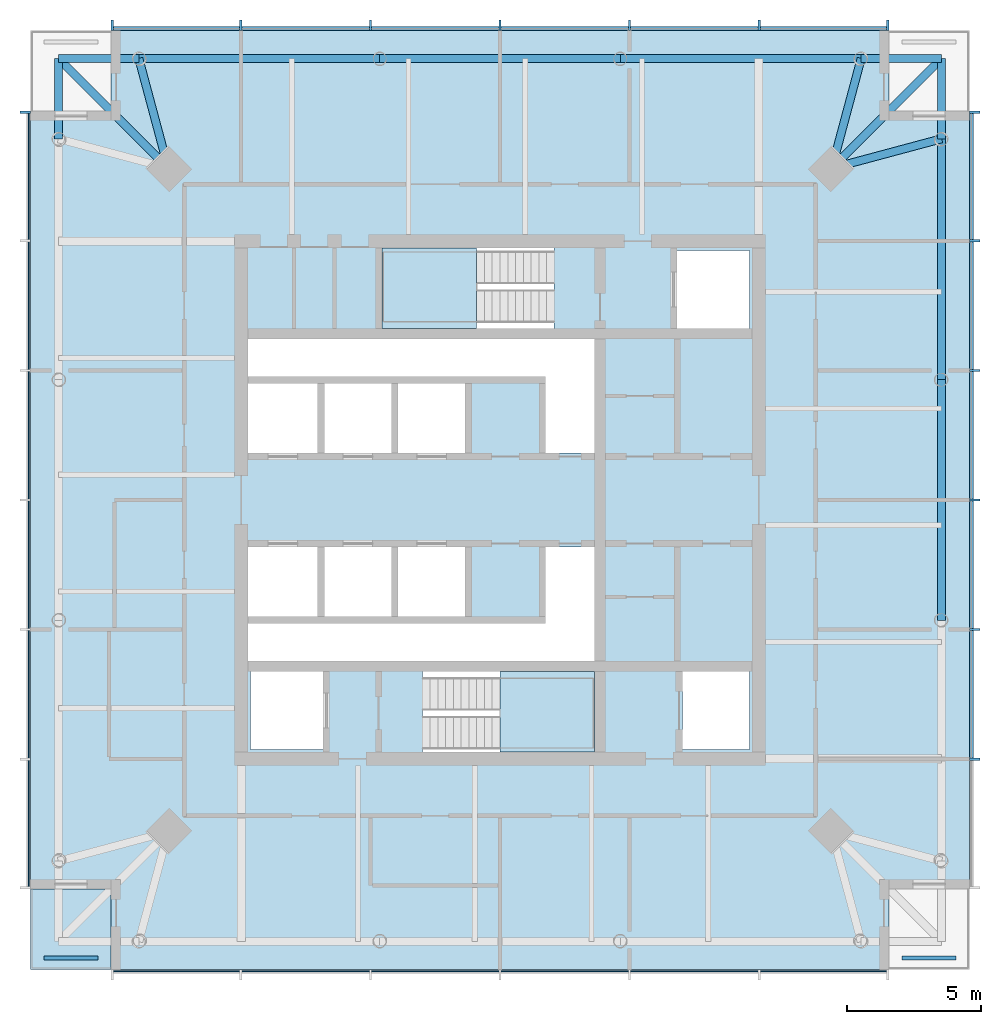
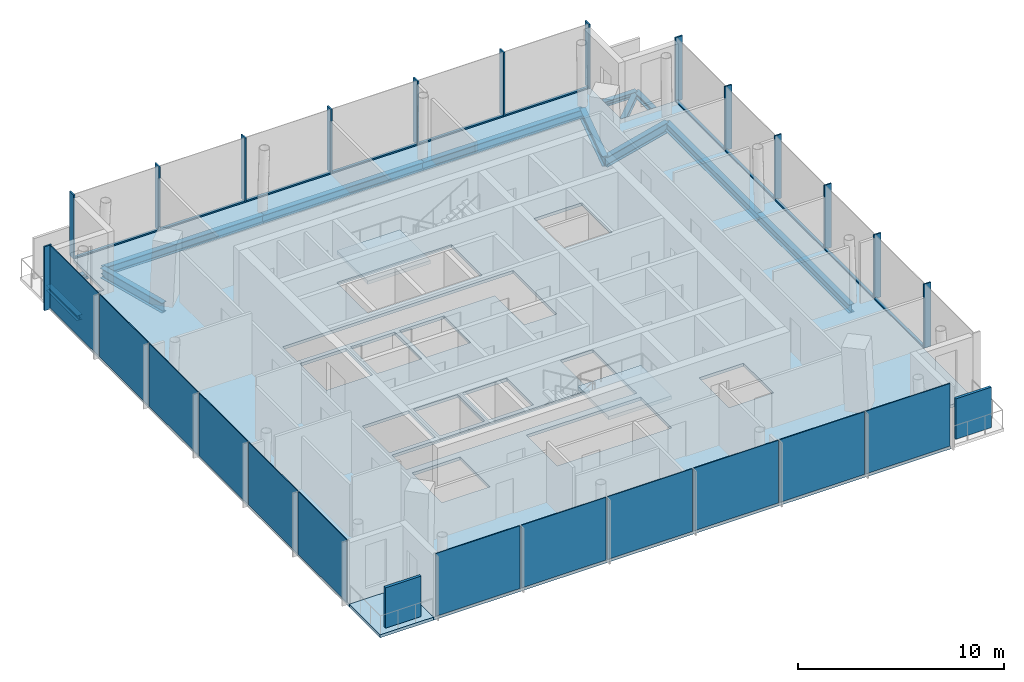
# One storey, part 2 of 7: 25 members, 14 beams, 14 plates, 4 slabs, 6 elements without a shape of their own.
"""IFC4 building model written with IfcOpenShell, lengths in metres."""

from ifc_helpers import new_model, si_unit, direction, frame, origin, origin_2d, place, context, subcontext, project, spatial, polyline, rectangle, i_section, outline, extrude, material, layer, layer_set, material_profile, profile_set, type_object, element, aggregate, save


model = new_model("IFC4")

# Units and contexts
model_context = context("Model", 3, precision=1e-05, world=origin(), true_north=direction((0.0, 1.0)))
body_context = subcontext(model_context, "Body", "Model", "MODEL_VIEW")
ifc_project = project(units=[si_unit("LENGTHUNIT", "METRE"), si_unit("AREAUNIT", "SQUARE_METRE"), si_unit("VOLUMEUNIT", "CUBIC_METRE"), si_unit("PLANEANGLEUNIT", "RADIAN"), si_unit("MASSUNIT", "GRAM", prefix="KILO")], contexts=[model_context])

# Site, building, storey
site_placement = place(None, origin())
site = spatial("IfcSite", under=ifc_project, at=site_placement, CompositionType="ELEMENT")
building_placement = place(site_placement, origin())
building = spatial("IfcBuilding", under=site, at=building_placement, Name="Ostroluk Exchange", CompositionType="ELEMENT")
storey_placement = place(building_placement, frame((0.0, 0.0, 256.60009765625)))
storey = spatial("IfcBuildingStorey", under=building, at=storey_placement, Name="L66", CompositionType="ELEMENT", Elevation=256.60009765625)

# Beams
ifc_material_1 = material(Name="Steel S355", Category="steel")
ifc_material_profile_1 = material_profile(ifc_material_1, i_section(OverallWidth=0.300048828125, OverallDepth=0.300048828125, WebThickness=0.010986328125, FlangeThickness=0.01904296875, FilletRadius=0.027099609375, at=origin_2d()), Name="HEB 300")
ifc_profile_set_1 = profile_set([ifc_material_profile_1], Name="Steel S355")
beam_type_1 = type_object("IfcBeamType", Name="Balcony beam HEB 300", PredefinedType="BEAM", material=ifc_profile_set_1)
for number, where, z_axis, x_axis, name in (
    (1, (61.471435546875, 59.471435546875, -0.330078125), (0.0, 1.0, 0.0), (-1.0, 0.0, 0.0), "T1 east balcony beam a"),
    (2, (58.471435546875, 62.471435546875, -0.330078125), (1.0, 0.0, 0.0), (0.0, 1.0, 0.0), "T1 east balcony beam b"),
):
    element("IfcBeam", number, at=place(storey_placement, frame(where, z_axis=z_axis, x_axis=x_axis)), inside=storey, type_object=beam_type_1, Name=name, PredefinedType="BEAM", context=body_context, shape_type="SweptSolid", body=[
        extrude(i_section(OverallWidth=0.300048828125, OverallDepth=0.300048828125, WebThickness=0.010986328125, FlangeThickness=0.01904296875, FilletRadius=0.027099609375, at=origin_2d()), origin(), (0.0, 0.0, 1.0), 3.0),
    ])
beam_1_placement = place(storey_placement, frame((57.371337890625, 58.371337890625, -0.330078125), z_axis=(0.707106781187, 0.707106781187, 0.0), x_axis=(-0.707106781187, 0.707106781187, 0.0)))
element("IfcBeam", 3, at=beam_1_placement, inside=storey, type_object=beam_type_1, Name="T1 east balcony beam c", PredefinedType="BEAM", context=body_context, shape_type="SweptSolid", body=[
    extrude(i_section(OverallWidth=0.300048828125, OverallDepth=0.300048828125, WebThickness=0.010986328125, FlangeThickness=0.01904296875, FilletRadius=0.027099609375, at=origin_2d()), origin(), (0.0, 0.0, 1.0), 5.79833984375),
])
for number, where, z_axis, x_axis, name in (
    (4, (31.528564453125, 62.471435546875, -0.330078125), (-1.0, 0.0, 0.0), (0.0, -1.0, 0.0), "T1 north balcony beam a"),
    (5, (28.528564453125, 59.471435546875, -0.330078125), (0.0, 1.0, 0.0), (-1.0, 0.0, 0.0), "T1 north balcony beam b"),
):
    element("IfcBeam", number, at=place(storey_placement, frame(where, z_axis=z_axis, x_axis=x_axis)), inside=storey, type_object=beam_type_1, Name=name, PredefinedType="BEAM", context=body_context, shape_type="SweptSolid", body=[
        extrude(i_section(OverallWidth=0.300048828125, OverallDepth=0.300048828125, WebThickness=0.010986328125, FlangeThickness=0.01904296875, FilletRadius=0.027099609375, at=origin_2d()), origin(), (0.0, 0.0, 1.0), 3.0),
    ])
beam_2_placement = place(storey_placement, frame((32.628662109375, 58.371337890625, -0.330078125), z_axis=(-0.707106781187, 0.707106781187, 0.0), x_axis=(-0.707106781187, -0.707106781187, 0.0)))
element("IfcBeam", 6, at=beam_2_placement, inside=storey, type_object=beam_type_1, Name="T1 north balcony beam c", PredefinedType="BEAM", context=body_context, shape_type="SweptSolid", body=[
    extrude(i_section(OverallWidth=0.300048828125, OverallDepth=0.300048828125, WebThickness=0.010986328125, FlangeThickness=0.01904296875, FilletRadius=0.027099609375, at=origin_2d()), origin(), (0.0, 0.0, 1.0), 5.79833984375),
])
ifc_material_2 = material(Name="Steel S355", Category="steel")
ifc_material_profile_2 = material_profile(ifc_material_2, i_section(OverallWidth=0.300048828125, OverallDepth=0.60009765625, WebThickness=0.015380859375, FlangeThickness=0.030029296875, FilletRadius=0.027099609375, at=origin_2d()), Name="HEB 600")
ifc_profile_set_2 = profile_set([ifc_material_profile_2], Name="Steel S355")
beam_type_2 = type_object("IfcBeamType", Name="Corner edge beam HEB 600", PredefinedType="SPANDREL", material=ifc_profile_set_2)
for number, where, z_axis, x_axis, name in (
    (7, (57.371337890625, 58.371337890625, -0.47998046875), (0.965838624319, 0.259144268261, 0.0), (-0.259144268261, 0.965838624319, 0.0), "T1 east corner edge beam a"),
    (8, (57.371337890625, 58.371337890625, -0.47998046875), (0.259144268261, 0.965838624319, 0.0), (-0.965838624319, 0.259144268261, 0.0), "T1 east corner edge beam b"),
    (9, (32.628662109375, 58.371337890625, -0.47998046875), (-0.259144268261, 0.965838624319, 0.0), (-0.965838624319, -0.259144268261, 0.0), "T1 north corner edge beam a"),
):
    element("IfcBeam", number, at=place(storey_placement, frame(where, z_axis=z_axis, x_axis=x_axis)), inside=storey, type_object=beam_type_2, Name=name, PredefinedType="SPANDREL", context=body_context, shape_type="SweptSolid", body=[
        extrude(i_section(OverallWidth=0.300048828125, OverallDepth=0.60009765625, WebThickness=0.015380859375, FlangeThickness=0.030029296875, FilletRadius=0.027099609375, at=origin_2d()), origin(), (0.0, 0.0, 1.0), 4.2451171875),
    ])
ifc_material_3 = material(Name="Steel S355", Category="steel")
ifc_material_profile_3 = material_profile(ifc_material_3, i_section(OverallWidth=0.300048828125, OverallDepth=0.5, WebThickness=0.014404296875, FlangeThickness=0.028076171875, FilletRadius=0.027099609375, at=origin_2d()), Name="HEB 500")
ifc_profile_set_3 = profile_set([ifc_material_profile_3], Name="Steel S355")
beam_type_3 = type_object("IfcBeamType", Name="Moment-connected edge beam HEB 500", PredefinedType="SPANDREL", material=ifc_profile_set_3)
for number, where, z_axis, x_axis, name in (
    (10, (61.471435546875, 41.509521484375, -0.43017578125), (0.0, 1.0, 0.0), (-1.0, 0.0, 0.0), "T1 east edge beam 2"),
    (11, (61.471435546875, 50.490478515625, -0.43017578125), (0.0, 1.0, 0.0), (-1.0, 0.0, 0.0), "T1 east edge beam 3"),
    (12, (58.471435546875, 62.471435546875, -0.43017578125), (-1.0, 0.0, 0.0), (0.0, -1.0, 0.0), "T1 north edge beam 1"),
    (13, (49.490478515625, 62.471435546875, -0.43017578125), (-1.0, 0.0, 0.0), (0.0, -1.0, 0.0), "T1 north edge beam 2"),
    (14, (40.509521484375, 62.471435546875, -0.43017578125), (-1.0, 0.0, 0.0), (0.0, -1.0, 0.0), "T1 north edge beam 3"),
):
    element("IfcBeam", number, at=place(storey_placement, frame(where, z_axis=z_axis, x_axis=x_axis)), inside=storey, type_object=beam_type_3, Name=name, PredefinedType="SPANDREL", context=body_context, shape_type="SweptSolid", body=[
        extrude(i_section(OverallWidth=0.300048828125, OverallDepth=0.5, WebThickness=0.014404296875, FlangeThickness=0.028076171875, FilletRadius=0.027099609375, at=origin_2d()), origin(), (0.0, 0.0, 1.0), 8.98095703125),
    ])

# Curtain wall, members
ifc_material_4 = material(Name="Laminated clear glass", Category="glass")
curtain_wall_type = type_object("IfcCurtainWallType", Name="Office tower facade", PredefinedType="USERDEFINED", material=ifc_material_4)
curtain_wall_1_placement = place(storey_placement, origin())
curtain_wall_1 = element("IfcCurtainWall", 15, at=curtain_wall_1_placement, inside=storey, type_object=curtain_wall_type, Name="Office tower east facade L66", ObjectType="UNITISED CURTAIN WALL", PredefinedType="USERDEFINED")
ifc_material_5 = material(Name="Aluminium mullion", Category="aluminium")
ifc_material_profile_4 = material_profile(ifc_material_5, rectangle(XDim=0.14990234375, YDim=0.080078125, at=origin_2d()), Name="Sill transom 80 x 150")
ifc_profile_set_4 = profile_set([ifc_material_profile_4], Name="Aluminium mullion")
member_type_1 = type_object("IfcMemberType", Name="Sill transom 80 x 150", PredefinedType="USERDEFINED", material=ifc_profile_set_4)
member_1_placement = place(storey_placement, frame((62.574951171875, 36.373291015625, 0.039794921875), z_axis=(0.0, 1.0, 0.0), x_axis=(-1.0, 0.0, 0.0)))
member_1 = element("IfcMember", 16, at=member_1_placement, type_object=member_type_1, Name="CW-O1 transom 2.1", ObjectType="TRANSOM", PredefinedType="USERDEFINED", context=body_context, shape_type="SweptSolid", body=[
    extrude(rectangle(XDim=0.14990234375, YDim=0.080078125, at=origin_2d()), origin(), (0.0, 0.0, 1.0), 4.75341796875),
])
member_2_placement = place(storey_placement, frame((62.574951171875, 41.206787109375, 0.039794921875), z_axis=(0.0, 1.0, 0.0), x_axis=(-1.0, 0.0, 0.0)))
member_2 = element("IfcMember", 17, at=member_2_placement, type_object=member_type_1, Name="CW-O1 transom 3.1", ObjectType="TRANSOM", PredefinedType="USERDEFINED", context=body_context, shape_type="SweptSolid", body=[
    extrude(rectangle(XDim=0.14990234375, YDim=0.080078125, at=origin_2d()), origin(), (0.0, 0.0, 1.0), 4.753173828125),
])
member_3_placement = place(storey_placement, frame((62.574951171875, 46.0400390625, 0.039794921875), z_axis=(0.0, 1.0, 0.0), x_axis=(-1.0, 0.0, 0.0)))
member_3 = element("IfcMember", 18, at=member_3_placement, type_object=member_type_1, Name="CW-O1 transom 4.1", ObjectType="TRANSOM", PredefinedType="USERDEFINED", context=body_context, shape_type="SweptSolid", body=[
    extrude(rectangle(XDim=0.14990234375, YDim=0.080078125, at=origin_2d()), origin(), (0.0, 0.0, 1.0), 4.753173828125),
])
member_4_placement = place(storey_placement, frame((62.574951171875, 50.873291015625, 0.039794921875), z_axis=(0.0, 1.0, 0.0), x_axis=(-1.0, 0.0, 0.0)))
member_4 = element("IfcMember", 19, at=member_4_placement, type_object=member_type_1, Name="CW-O1 transom 5.1", ObjectType="TRANSOM", PredefinedType="USERDEFINED", context=body_context, shape_type="SweptSolid", body=[
    extrude(rectangle(XDim=0.14990234375, YDim=0.080078125, at=origin_2d()), origin(), (0.0, 0.0, 1.0), 4.75341796875),
])
member_5_placement = place(storey_placement, frame((62.574951171875, 55.706787109375, 0.039794921875), z_axis=(0.0, 1.0, 0.0), x_axis=(-1.0, 0.0, 0.0)))
member_5 = element("IfcMember", 20, at=member_5_placement, type_object=member_type_1, Name="CW-O1 transom 6.1", ObjectType="TRANSOM", PredefinedType="USERDEFINED", context=body_context, shape_type="SweptSolid", body=[
    extrude(rectangle(XDim=0.14990234375, YDim=0.080078125, at=origin_2d()), origin(), (0.0, 0.0, 1.0), 4.713134765625),
])

curtain_wall_2_placement = place(storey_placement, origin())
curtain_wall_2 = element("IfcCurtainWall", 21, at=curtain_wall_2_placement, inside=storey, type_object=curtain_wall_type, Name="Office tower north facade L66", ObjectType="UNITISED CURTAIN WALL", PredefinedType="USERDEFINED")
member_6_placement = place(storey_placement, frame((59.419921875, 63.574951171875, 0.039794921875), z_axis=(-1.0, 0.0, 0.0), x_axis=(0.0, -1.0, 0.0)))
member_6 = element("IfcMember", 22, at=member_6_placement, type_object=member_type_1, Name="CW-O1 transom 1.1", ObjectType="TRANSOM", PredefinedType="USERDEFINED", context=body_context, shape_type="SweptSolid", body=[
    extrude(rectangle(XDim=0.14990234375, YDim=0.080078125, at=origin_2d()), origin(), (0.0, 0.0, 1.0), 4.713134765625),
])
member_7_placement = place(storey_placement, frame((54.626708984375, 63.574951171875, 0.039794921875), z_axis=(-1.0, 0.0, 0.0), x_axis=(0.0, -1.0, 0.0)))
member_7 = element("IfcMember", 23, at=member_7_placement, type_object=member_type_1, Name="CW-O1 transom 2.1", ObjectType="TRANSOM", PredefinedType="USERDEFINED", context=body_context, shape_type="SweptSolid", body=[
    extrude(rectangle(XDim=0.14990234375, YDim=0.080078125, at=origin_2d()), origin(), (0.0, 0.0, 1.0), 4.75341796875),
])
member_8_placement = place(storey_placement, frame((49.793212890625, 63.574951171875, 0.039794921875), z_axis=(-1.0, 0.0, 0.0), x_axis=(0.0, -1.0, 0.0)))
member_8 = element("IfcMember", 24, at=member_8_placement, type_object=member_type_1, Name="CW-O1 transom 3.1", ObjectType="TRANSOM", PredefinedType="USERDEFINED", context=body_context, shape_type="SweptSolid", body=[
    extrude(rectangle(XDim=0.14990234375, YDim=0.080078125, at=origin_2d()), origin(), (0.0, 0.0, 1.0), 4.753173828125),
])
member_9_placement = place(storey_placement, frame((44.9599609375, 63.574951171875, 0.039794921875), z_axis=(-1.0, 0.0, 0.0), x_axis=(0.0, -1.0, 0.0)))
member_9 = element("IfcMember", 25, at=member_9_placement, type_object=member_type_1, Name="CW-O1 transom 4.1", ObjectType="TRANSOM", PredefinedType="USERDEFINED", context=body_context, shape_type="SweptSolid", body=[
    extrude(rectangle(XDim=0.14990234375, YDim=0.080078125, at=origin_2d()), origin(), (0.0, 0.0, 1.0), 4.753173828125),
])
member_10_placement = place(storey_placement, frame((40.126708984375, 63.574951171875, 0.039794921875), z_axis=(-1.0, 0.0, 0.0), x_axis=(0.0, -1.0, 0.0)))
member_10 = element("IfcMember", 26, at=member_10_placement, type_object=member_type_1, Name="CW-O1 transom 5.1", ObjectType="TRANSOM", PredefinedType="USERDEFINED", context=body_context, shape_type="SweptSolid", body=[
    extrude(rectangle(XDim=0.14990234375, YDim=0.080078125, at=origin_2d()), origin(), (0.0, 0.0, 1.0), 4.75341796875),
])
member_11_placement = place(storey_placement, frame((35.293212890625, 63.574951171875, 0.039794921875), z_axis=(-1.0, 0.0, 0.0), x_axis=(0.0, -1.0, 0.0)))
member_11 = element("IfcMember", 27, at=member_11_placement, type_object=member_type_1, Name="CW-O1 transom 6.1", ObjectType="TRANSOM", PredefinedType="USERDEFINED", context=body_context, shape_type="SweptSolid", body=[
    extrude(rectangle(XDim=0.14990234375, YDim=0.080078125, at=origin_2d()), origin(), (0.0, 0.0, 1.0), 4.713134765625),
])

# Member
ifc_material_6 = material(Name="Aluminium mullion with limestone facing", Category="masonry")
ifc_material_profile_5 = material_profile(ifc_material_6, rectangle(XDim=0.39990234375, YDim=0.080078125, at=origin_2d()), Name="Tracery mullion 80 x 400")
ifc_profile_set_5 = profile_set([ifc_material_profile_5], Name="Aluminium mullion with limestone facing")
member_type_2 = type_object("IfcMemberType", Name="Tracery mullion 80 x 400", PredefinedType="MULLION", material=ifc_profile_set_5)
member_12_placement = place(storey_placement, frame((62.699951171875, 36.333251953125, 0.0), z_axis=(0.0, 0.0, 1.0), x_axis=(-1.0, 0.0, 0.0)))
member_12 = element("IfcMember", 28, at=member_12_placement, type_object=member_type_2, Name="CW-O1 mullion 2", PredefinedType="MULLION", context=body_context, shape_type="SweptSolid", body=[
    extrude(rectangle(XDim=0.39990234375, YDim=0.080078125, at=origin_2d()), origin(), (0.0, 0.0, 1.0), 3.7998046875),
])

member_13_placement = place(storey_placement, frame((62.699951171875, 41.166748046875, 0.0), z_axis=(0.0, 0.0, 1.0), x_axis=(-1.0, 0.0, 0.0)))
member_13 = element("IfcMember", 29, at=member_13_placement, type_object=member_type_2, Name="CW-O1 mullion 3", PredefinedType="MULLION", context=body_context, shape_type="SweptSolid", body=[
    extrude(rectangle(XDim=0.39990234375, YDim=0.080078125, at=origin_2d()), origin(), (0.0, 0.0, 1.0), 3.7998046875),
])

member_14_placement = place(storey_placement, frame((62.699951171875, 46.0, 0.0), z_axis=(0.0, 0.0, 1.0), x_axis=(-1.0, 0.0, 0.0)))
member_14 = element("IfcMember", 30, at=member_14_placement, type_object=member_type_2, Name="CW-O1 mullion 4", PredefinedType="MULLION", context=body_context, shape_type="SweptSolid", body=[
    extrude(rectangle(XDim=0.39990234375, YDim=0.080078125, at=origin_2d()), origin(), (0.0, 0.0, 1.0), 3.7998046875),
])

member_15_placement = place(storey_placement, frame((62.699951171875, 50.833251953125, 0.0), z_axis=(0.0, 0.0, 1.0), x_axis=(-1.0, 0.0, 0.0)))
member_15 = element("IfcMember", 31, at=member_15_placement, type_object=member_type_2, Name="CW-O1 mullion 5", PredefinedType="MULLION", context=body_context, shape_type="SweptSolid", body=[
    extrude(rectangle(XDim=0.39990234375, YDim=0.080078125, at=origin_2d()), origin(), (0.0, 0.0, 1.0), 3.7998046875),
])

member_16_placement = place(storey_placement, frame((62.699951171875, 55.666748046875, 0.0), z_axis=(0.0, 0.0, 1.0), x_axis=(-1.0, 0.0, 0.0)))
member_16 = element("IfcMember", 32, at=member_16_placement, type_object=member_type_2, Name="CW-O1 mullion 6", PredefinedType="MULLION", context=body_context, shape_type="SweptSolid", body=[
    extrude(rectangle(XDim=0.39990234375, YDim=0.080078125, at=origin_2d()), origin(), (0.0, 0.0, 1.0), 3.7998046875),
])

member_17_placement = place(storey_placement, frame((62.699951171875, 60.4599609375, 0.0), z_axis=(0.0, 0.0, 1.0), x_axis=(-1.0, 0.0, 0.0)))
member_17 = element("IfcMember", 33, at=member_17_placement, type_object=member_type_2, Name="CW-O1 mullion 7", PredefinedType="MULLION", context=body_context, shape_type="SweptSolid", body=[
    extrude(rectangle(XDim=0.39990234375, YDim=0.080078125, at=origin_2d()), origin(), (0.0, 0.0, 1.0), 3.7998046875),
])

aggregate(curtain_wall_1, [member_12, member_13, member_14, member_15, member_16, member_17, member_1, member_2, member_3, member_4, member_5])

member_18_placement = place(storey_placement, frame((59.4599609375, 63.699951171875, 0.0), z_axis=(0.0, 0.0, 1.0), x_axis=(0.0, -1.0, 0.0)))
member_18 = element("IfcMember", 34, at=member_18_placement, type_object=member_type_2, Name="CW-O1 mullion 1", PredefinedType="MULLION", context=body_context, shape_type="SweptSolid", body=[
    extrude(rectangle(XDim=0.39990234375, YDim=0.080078125, at=origin_2d()), origin(), (0.0, 0.0, 1.0), 3.7998046875),
])

member_19_placement = place(storey_placement, frame((54.666748046875, 63.699951171875, 0.0), z_axis=(0.0, 0.0, 1.0), x_axis=(0.0, -1.0, 0.0)))
member_19 = element("IfcMember", 35, at=member_19_placement, type_object=member_type_2, Name="CW-O1 mullion 2", PredefinedType="MULLION", context=body_context, shape_type="SweptSolid", body=[
    extrude(rectangle(XDim=0.39990234375, YDim=0.080078125, at=origin_2d()), origin(), (0.0, 0.0, 1.0), 3.7998046875),
])

member_20_placement = place(storey_placement, frame((49.833251953125, 63.699951171875, 0.0), z_axis=(0.0, 0.0, 1.0), x_axis=(0.0, -1.0, 0.0)))
member_20 = element("IfcMember", 36, at=member_20_placement, type_object=member_type_2, Name="CW-O1 mullion 3", PredefinedType="MULLION", context=body_context, shape_type="SweptSolid", body=[
    extrude(rectangle(XDim=0.39990234375, YDim=0.080078125, at=origin_2d()), origin(), (0.0, 0.0, 1.0), 3.7998046875),
])

member_21_placement = place(storey_placement, frame((45.0, 63.699951171875, 0.0), z_axis=(0.0, 0.0, 1.0), x_axis=(0.0, -1.0, 0.0)))
member_21 = element("IfcMember", 37, at=member_21_placement, type_object=member_type_2, Name="CW-O1 mullion 4", PredefinedType="MULLION", context=body_context, shape_type="SweptSolid", body=[
    extrude(rectangle(XDim=0.39990234375, YDim=0.080078125, at=origin_2d()), origin(), (0.0, 0.0, 1.0), 3.7998046875),
])

member_22_placement = place(storey_placement, frame((40.166748046875, 63.699951171875, 0.0), z_axis=(0.0, 0.0, 1.0), x_axis=(0.0, -1.0, 0.0)))
member_22 = element("IfcMember", 38, at=member_22_placement, type_object=member_type_2, Name="CW-O1 mullion 5", PredefinedType="MULLION", context=body_context, shape_type="SweptSolid", body=[
    extrude(rectangle(XDim=0.39990234375, YDim=0.080078125, at=origin_2d()), origin(), (0.0, 0.0, 1.0), 3.7998046875),
])

member_23_placement = place(storey_placement, frame((35.333251953125, 63.699951171875, 0.0), z_axis=(0.0, 0.0, 1.0), x_axis=(0.0, -1.0, 0.0)))
member_23 = element("IfcMember", 39, at=member_23_placement, type_object=member_type_2, Name="CW-O1 mullion 6", PredefinedType="MULLION", context=body_context, shape_type="SweptSolid", body=[
    extrude(rectangle(XDim=0.39990234375, YDim=0.080078125, at=origin_2d()), origin(), (0.0, 0.0, 1.0), 3.7998046875),
])

member_24_placement = place(storey_placement, frame((30.5400390625, 63.699951171875, 0.0), z_axis=(0.0, 0.0, 1.0), x_axis=(0.0, -1.0, 0.0)))
member_24 = element("IfcMember", 40, at=member_24_placement, type_object=member_type_2, Name="CW-O1 mullion 7", PredefinedType="MULLION", context=body_context, shape_type="SweptSolid", body=[
    extrude(rectangle(XDim=0.39990234375, YDim=0.080078125, at=origin_2d()), origin(), (0.0, 0.0, 1.0), 3.7998046875),
])

aggregate(curtain_wall_2, [member_18, member_19, member_20, member_21, member_22, member_23, member_24, member_6, member_7, member_8, member_9, member_10, member_11])

# Curtain wall, member
curtain_wall_3_placement = place(storey_placement, origin())
curtain_wall_3 = element("IfcCurtainWall", 41, at=curtain_wall_3_placement, inside=storey, type_object=curtain_wall_type, Name="Office tower west facade L66", ObjectType="UNITISED CURTAIN WALL", PredefinedType="USERDEFINED")
member_25_placement = place(storey_placement, frame((27.300048828125, 60.4599609375, 0.0), z_axis=(0.0, 0.0, 1.0), x_axis=(1.0, 0.0, 0.0)))
member_25 = element("IfcMember", 42, at=member_25_placement, type_object=member_type_2, Name="CW-O1 mullion 1", PredefinedType="MULLION", context=body_context, shape_type="SweptSolid", body=[
    extrude(rectangle(XDim=0.39990234375, YDim=0.080078125, at=origin_2d()), origin(), (0.0, 0.0, 1.0), 3.7998046875),
])

# Slab
ifc_material_7 = material(Name="Concrete C35/45", Category="concrete")
ifc_layer_1 = layer(ifc_material_7, 0.179931640625)
ifc_layer_set_1 = layer_set([ifc_layer_1], Name="Balcony slab 180")
slab_type_1 = type_object("IfcSlabType", Name="Balcony slab 180", PredefinedType="USERDEFINED", material=ifc_layer_set_1)
slab_1_placement = place(storey_placement, frame((0.0, 0.0, -0.18017578125)))
element("IfcSlab", 43, at=slab_1_placement, inside=storey, type_object=slab_type_1, Name="Office tower SW corner balcony L66", ObjectType="BALCONY", PredefinedType="USERDEFINED", context=body_context, shape_type="SweptSolid", body=[
    extrude(outline(polyline([(27.5, 28.5), (30.5, 28.5), (30.5, 31.5), (27.5, 31.5), (27.5, 28.5)])), origin(), (0.0, 0.0, 1.0), 0.18017578125),
])

# Plates
ifc_material_8 = material(Name="Steel S355 trellis with planting", Category="steel")
ifc_layer_2 = layer(ifc_material_8, 0.14990234375)
ifc_layer_set_2 = layer_set([ifc_layer_2], Name="Planted screen 150")
plate_type_1 = type_object("IfcPlateType", Name="Planted screen 150", PredefinedType="USERDEFINED", material=ifc_layer_set_2)
for number, where, z_axis, x_axis, name in (
    (44, (61.0, 28.925048828125, 0.0), (0.0, 0.0, 1.0), (1.0, 0.0, 0.0), "Office tower SE planted screen L66"),
    (45, (29.0, 28.925048828125, 0.0), (0.0, 0.0, 1.0), (1.0, 0.0, 0.0), "Office tower SW planted screen L66"),
):
    element("IfcPlate", number, at=place(storey_placement, frame(where, z_axis=z_axis, x_axis=x_axis)), inside=storey, type_object=plate_type_1, Name=name, ObjectType="PLANTED SCREEN", PredefinedType="USERDEFINED", context=body_context, shape_type="SweptSolid", body=[
        extrude(rectangle(XDim=2.0, YDim=0.14990234375, at=origin_2d()), origin(), (0.0, 0.0, 1.0), 2.39990234375),
    ])

# Stair, slab
ifc_material_9 = material(Name="Concrete C30/37", Category="concrete")
stair_type = type_object("IfcStairType", Name="Exit stair half turn 3800", PredefinedType="HALF_TURN_STAIR", material=ifc_material_9)
stair_1_placement = place(storey_placement, origin())
stair_1 = element("IfcStair", 46, at=stair_1_placement, inside=storey, type_object=stair_type, Name="Stair T1-S1 L66", PredefinedType="HALF_TURN_STAIR")
ifc_material_10 = material(Name="Concrete C30/37", Category="concrete")
ifc_layer_3 = layer(ifc_material_10, 0.199951171875)
ifc_layer_set_3 = layer_set([ifc_layer_3], Name="Stair landing 200")
slab_type_2 = type_object("IfcSlabType", Name="Stair landing 200", PredefinedType="LANDING", material=ifc_layer_set_3)
slab_2_placement = place(storey_placement, frame((0.0, 0.0, 1.699951171875)))
slab_2 = element("IfcSlab", 47, at=slab_2_placement, type_object=slab_type_2, Name="T1-S1 landing 1", PredefinedType="LANDING", context=body_context, shape_type="SweptSolid", body=[
    extrude(outline(polyline([(45.0, 36.60009765625), (45.0, 39.60009765625), (48.530029296875, 39.60009765625), (48.530029296875, 36.60009765625), (45.0, 36.60009765625)])), origin(), (0.0, 0.0, 1.0), 0.199951171875),
])
aggregate(stair_1, [slab_2])

stair_2_placement = place(storey_placement, origin())
stair_2 = element("IfcStair", 48, at=stair_2_placement, inside=storey, type_object=stair_type, Name="Stair T1-S2 L66", PredefinedType="HALF_TURN_STAIR")
slab_3_placement = place(storey_placement, frame((0.0, 0.0, 1.699951171875)))
slab_3 = element("IfcSlab", 49, at=slab_3_placement, type_object=slab_type_2, Name="T1-S2 landing 1", PredefinedType="LANDING", context=body_context, shape_type="SweptSolid", body=[
    extrude(outline(polyline([(44.1298828125, 52.39990234375), (44.1298828125, 55.39990234375), (40.60009765625, 55.39990234375), (40.60009765625, 52.39990234375), (44.1298828125, 52.39990234375)])), origin(), (0.0, 0.0, 1.0), 0.199951171875),
])
aggregate(stair_2, [slab_3])

# Slab
ifc_material_11 = material(Name="Concrete C35/45", Category="concrete")
ifc_layer_4 = layer(ifc_material_11, 0.179931640625)
ifc_layer_set_4 = layer_set([ifc_layer_4], Name="Tower floor slab 180 composite")
slab_type_3 = type_object("IfcSlabType", Name="Tower floor slab 180 composite", PredefinedType="FLOOR", material=ifc_layer_set_4)
slab_4_placement = place(storey_placement, frame((0.0, 0.0, -0.18017578125)))
element("IfcSlab", 50, at=slab_4_placement, inside=storey, type_object=slab_type_3, Name="Office tower floor slab L66", PredefinedType="FLOOR", context=body_context, shape_type="SweptSolid", body=[
    extrude(outline(polyline([(30.5, 28.5), (59.5, 28.5), (59.5, 31.5), (62.5, 31.5), (62.5, 60.5), (59.5, 60.5), (59.5, 63.5), (30.5, 63.5), (30.5, 60.5), (27.5, 60.5), (27.5, 31.5), (30.5, 31.5), (30.5, 28.5)]), holes=[polyline([(35.699951171875, 36.699951171875), (38.39990234375, 36.699951171875), (38.39990234375, 39.60009765625), (35.699951171875, 39.60009765625), (35.699951171875, 36.699951171875)]), polyline([(42.110107421875, 36.60009765625), (48.530029296875, 36.60009765625), (48.530029296875, 39.60009765625), (42.110107421875, 39.60009765625), (42.110107421875, 36.60009765625)]), polyline([(51.800048828125, 36.699951171875), (54.300048828125, 36.699951171875), (54.300048828125, 39.60009765625), (51.800048828125, 39.60009765625), (51.800048828125, 36.699951171875)]), polyline([(40.60009765625, 52.39990234375), (47.02001953125, 52.39990234375), (47.02001953125, 55.39990234375), (40.60009765625, 55.39990234375), (40.60009765625, 52.39990234375)]), polyline([(51.60009765625, 52.39990234375), (54.300048828125, 52.39990234375), (54.300048828125, 55.300048828125), (51.60009765625, 55.300048828125), (51.60009765625, 52.39990234375)]), polyline([(35.60009765625, 47.75), (38.199951171875, 47.75), (38.199951171875, 50.35009765625), (35.60009765625, 50.35009765625), (35.60009765625, 47.75)]), polyline([(38.449951171875, 47.75), (40.949951171875, 47.75), (40.949951171875, 50.35009765625), (38.449951171875, 50.35009765625), (38.449951171875, 47.75)]), polyline([(41.199951171875, 47.75), (43.699951171875, 47.75), (43.699951171875, 50.35009765625), (41.199951171875, 50.35009765625), (41.199951171875, 47.75)]), polyline([(35.60009765625, 41.64990234375), (38.199951171875, 41.64990234375), (38.199951171875, 44.25), (35.60009765625, 44.25), (35.60009765625, 41.64990234375)]), polyline([(38.449951171875, 41.64990234375), (40.949951171875, 41.64990234375), (40.949951171875, 44.25), (38.449951171875, 44.25), (38.449951171875, 41.64990234375)]), polyline([(41.199951171875, 41.64990234375), (43.699951171875, 41.64990234375), (43.699951171875, 44.25), (41.199951171875, 44.25), (41.199951171875, 41.64990234375)]), polyline([(48.530029296875, 52.0), (48.530029296875, 47.75), (46.699951171875, 47.75), (46.699951171875, 50.60009765625), (35.60009765625, 50.60009765625), (35.60009765625, 52.0), (48.530029296875, 52.0)]), polyline([(35.60009765625, 40.0), (35.60009765625, 41.39990234375), (46.699951171875, 41.39990234375), (46.699951171875, 44.25), (48.530029296875, 44.25), (48.530029296875, 40.0), (35.60009765625, 40.0)])]), origin(), (0.0, 0.0, 1.0), 0.18017578125),
])

# Curtain wall, plates
curtain_wall_4_placement = place(storey_placement, origin())
curtain_wall_4 = element("IfcCurtainWall", 51, at=curtain_wall_4_placement, inside=storey, type_object=curtain_wall_type, Name="Office tower south facade L66", ObjectType="UNITISED CURTAIN WALL", PredefinedType="USERDEFINED")
ifc_material_12 = material(Name="Laminated clear glass", Category="glass")
ifc_layer_5 = layer(ifc_material_12, 0.0439453125)
ifc_layer_set_5 = layer_set([ifc_layer_5], Name="Triple laminated clear glazing 44")
plate_type_2 = type_object("IfcPlateType", Name="Triple laminated clear glazing 44", PredefinedType="CURTAIN_PANEL", material=ifc_layer_set_5)
plate_1_placement = place(storey_placement, frame((32.936767578125, 28.425048828125, 0.080078125), z_axis=(0.0, 0.0, 1.0), x_axis=(1.0, 0.0, 0.0)))
plate_1 = element("IfcPlate", 52, at=plate_1_placement, type_object=plate_type_2, Name="CW-O1 panel 1.1", PredefinedType="CURTAIN_PANEL", context=body_context, shape_type="SweptSolid", body=[
    extrude(rectangle(XDim=4.71337890625, YDim=0.0439453125, at=origin_2d()), origin(), (0.0, 0.0, 1.0), 3.719970703125),
])
plate_2_placement = place(storey_placement, frame((37.75, 28.425048828125, 0.080078125), z_axis=(0.0, 0.0, 1.0), x_axis=(1.0, 0.0, 0.0)))
plate_2 = element("IfcPlate", 53, at=plate_2_placement, type_object=plate_type_2, Name="CW-O1 panel 2.1", PredefinedType="CURTAIN_PANEL", context=body_context, shape_type="SweptSolid", body=[
    extrude(rectangle(XDim=4.75341796875, YDim=0.0439453125, at=origin_2d()), origin(), (0.0, 0.0, 1.0), 3.719970703125),
])
plate_3_placement = place(storey_placement, frame((42.583251953125, 28.425048828125, 0.080078125), z_axis=(0.0, 0.0, 1.0), x_axis=(1.0, 0.0, 0.0)))
plate_3 = element("IfcPlate", 54, at=plate_3_placement, type_object=plate_type_2, Name="CW-O1 panel 3.1", PredefinedType="CURTAIN_PANEL", context=body_context, shape_type="SweptSolid", body=[
    extrude(rectangle(XDim=4.75341796875, YDim=0.0439453125, at=origin_2d()), origin(), (0.0, 0.0, 1.0), 3.719970703125),
])
plate_4_placement = place(storey_placement, frame((47.416748046875, 28.425048828125, 0.080078125), z_axis=(0.0, 0.0, 1.0), x_axis=(1.0, 0.0, 0.0)))
plate_4 = element("IfcPlate", 55, at=plate_4_placement, type_object=plate_type_2, Name="CW-O1 panel 4.1", PredefinedType="CURTAIN_PANEL", context=body_context, shape_type="SweptSolid", body=[
    extrude(rectangle(XDim=4.75341796875, YDim=0.0439453125, at=origin_2d()), origin(), (0.0, 0.0, 1.0), 3.719970703125),
])
plate_5_placement = place(storey_placement, frame((52.25, 28.425048828125, 0.080078125), z_axis=(0.0, 0.0, 1.0), x_axis=(1.0, 0.0, 0.0)))
plate_5 = element("IfcPlate", 56, at=plate_5_placement, type_object=plate_type_2, Name="CW-O1 panel 5.1", PredefinedType="CURTAIN_PANEL", context=body_context, shape_type="SweptSolid", body=[
    extrude(rectangle(XDim=4.75341796875, YDim=0.0439453125, at=origin_2d()), origin(), (0.0, 0.0, 1.0), 3.719970703125),
])
plate_6_placement = place(storey_placement, frame((57.063232421875, 28.425048828125, 0.080078125), z_axis=(0.0, 0.0, 1.0), x_axis=(1.0, 0.0, 0.0)))
plate_6 = element("IfcPlate", 57, at=plate_6_placement, type_object=plate_type_2, Name="CW-O1 panel 6.1", PredefinedType="CURTAIN_PANEL", context=body_context, shape_type="SweptSolid", body=[
    extrude(rectangle(XDim=4.71337890625, YDim=0.0439453125, at=origin_2d()), origin(), (0.0, 0.0, 1.0), 3.719970703125),
])
aggregate(curtain_wall_4, [plate_1, plate_2, plate_3, plate_4, plate_5, plate_6])

# Plate
plate_7_placement = place(storey_placement, frame((27.425048828125, 58.063232421875, 0.080078125), z_axis=(0.0, 0.0, 1.0), x_axis=(0.0, -1.0, 0.0)))
plate_7 = element("IfcPlate", 58, at=plate_7_placement, type_object=plate_type_2, Name="CW-O1 panel 1.1", PredefinedType="CURTAIN_PANEL", context=body_context, shape_type="SweptSolid", body=[
    extrude(rectangle(XDim=4.71337890625, YDim=0.0439453125, at=origin_2d()), origin(), (0.0, 0.0, 1.0), 3.719970703125),
])

plate_8_placement = place(storey_placement, frame((27.425048828125, 53.25, 0.080078125), z_axis=(0.0, 0.0, 1.0), x_axis=(0.0, -1.0, 0.0)))
plate_8 = element("IfcPlate", 59, at=plate_8_placement, type_object=plate_type_2, Name="CW-O1 panel 2.1", PredefinedType="CURTAIN_PANEL", context=body_context, shape_type="SweptSolid", body=[
    extrude(rectangle(XDim=4.75341796875, YDim=0.0439453125, at=origin_2d()), origin(), (0.0, 0.0, 1.0), 3.719970703125),
])

plate_9_placement = place(storey_placement, frame((27.425048828125, 48.416748046875, 0.080078125), z_axis=(0.0, 0.0, 1.0), x_axis=(0.0, -1.0, 0.0)))
plate_9 = element("IfcPlate", 60, at=plate_9_placement, type_object=plate_type_2, Name="CW-O1 panel 3.1", PredefinedType="CURTAIN_PANEL", context=body_context, shape_type="SweptSolid", body=[
    extrude(rectangle(XDim=4.75341796875, YDim=0.0439453125, at=origin_2d()), origin(), (0.0, 0.0, 1.0), 3.719970703125),
])

plate_10_placement = place(storey_placement, frame((27.425048828125, 43.583251953125, 0.080078125), z_axis=(0.0, 0.0, 1.0), x_axis=(0.0, -1.0, 0.0)))
plate_10 = element("IfcPlate", 61, at=plate_10_placement, type_object=plate_type_2, Name="CW-O1 panel 4.1", PredefinedType="CURTAIN_PANEL", context=body_context, shape_type="SweptSolid", body=[
    extrude(rectangle(XDim=4.75341796875, YDim=0.0439453125, at=origin_2d()), origin(), (0.0, 0.0, 1.0), 3.719970703125),
])

plate_11_placement = place(storey_placement, frame((27.425048828125, 38.75, 0.080078125), z_axis=(0.0, 0.0, 1.0), x_axis=(0.0, -1.0, 0.0)))
plate_11 = element("IfcPlate", 62, at=plate_11_placement, type_object=plate_type_2, Name="CW-O1 panel 5.1", PredefinedType="CURTAIN_PANEL", context=body_context, shape_type="SweptSolid", body=[
    extrude(rectangle(XDim=4.75341796875, YDim=0.0439453125, at=origin_2d()), origin(), (0.0, 0.0, 1.0), 3.719970703125),
])

plate_12_placement = place(storey_placement, frame((27.425048828125, 33.936767578125, 0.080078125), z_axis=(0.0, 0.0, 1.0), x_axis=(0.0, -1.0, 0.0)))
plate_12 = element("IfcPlate", 63, at=plate_12_placement, type_object=plate_type_2, Name="CW-O1 panel 6.1", PredefinedType="CURTAIN_PANEL", context=body_context, shape_type="SweptSolid", body=[
    extrude(rectangle(XDim=4.71337890625, YDim=0.0439453125, at=origin_2d()), origin(), (0.0, 0.0, 1.0), 3.719970703125),
])

aggregate(curtain_wall_3, [member_25, plate_7, plate_8, plate_9, plate_10, plate_11, plate_12])

save(model, "model.ifc")
